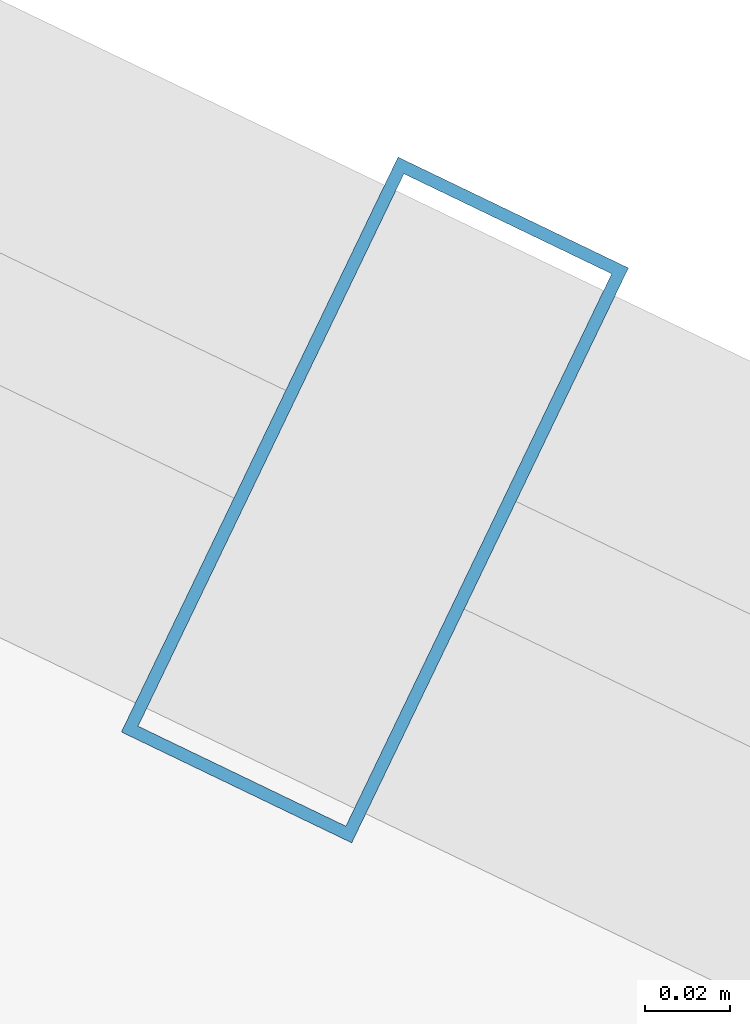
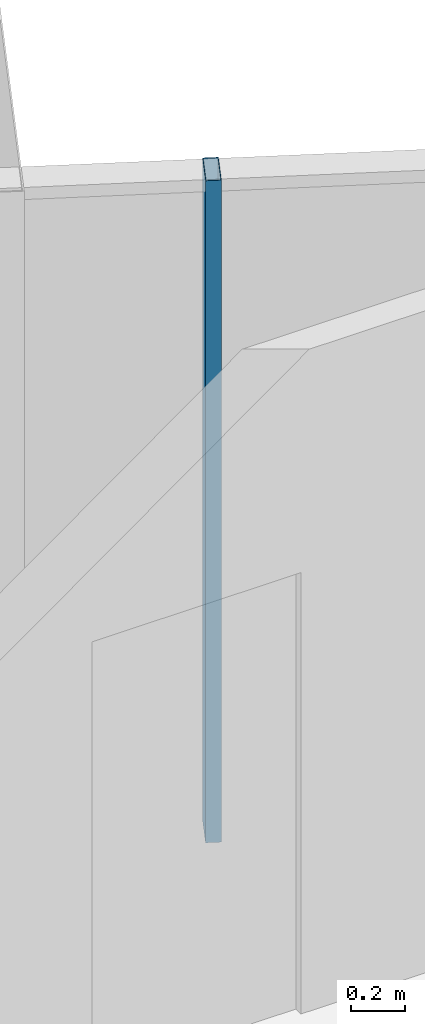
# One storey, part 28 of 34: 1 member, 1 element without a shape of its own.
"""IFC4 building model written with IfcOpenShell, lengths in metres."""

import ifcopenshell
import ifcopenshell.guid

model = None  # the IFC model being written
_history = None  # IfcOwnerHistory: only IFC2X3 demands one
_inside = {}  # id of a spatial element -> (the spatial element, [elements in it])
_under = {}  # id of a project, library or spatial element -> (it, [spatial elements below it])
_declared = {}  # id of a project -> (the project, [libraries it declares])
_typed = {}  # id of a type object -> (the type object, [elements of that type])
_made_of = {}  # id of a material, layer set ... -> (it, [elements and type objects made of it])


def new_model(schema):
    """Start an empty IFC model of exactly this schema.

    Asked for "IFC4X3", IfcOpenShell would pick the latest addendum, in which some entities
    have other attributes; the version numbers below select the first issue.
    IFC2X3 requires an IfcOwnerHistory on every rooted entity: one is made here for all.
    """
    global model, _history
    if schema == "IFC4X3":
        model = ifcopenshell.file(schema_version=(4, 3, 0, 0))
    else:
        model = ifcopenshell.file(schema=schema)
    _inside.clear()
    _under.clear()
    _declared.clear()
    _typed.clear()
    _made_of.clear()
    _history = None
    if model.schema == "IFC2X3":
        org = make("IfcOrganization", Name="unknown")
        user = make(
            "IfcPersonAndOrganization",
            ThePerson=make("IfcPerson", FamilyName="unknown"),
            TheOrganization=org,
        )
        app = make(
            "IfcApplication",
            ApplicationDeveloper=org,
            Version="unknown",
            ApplicationFullName="unknown",
            ApplicationIdentifier="unknown",
        )
        _history = make(
            "IfcOwnerHistory",
            OwningUser=user,
            OwningApplication=app,
            ChangeAction="ADDED",
            CreationDate=0,
        )
    return model


def make(cls, **values):
    """One entity of the class cls with the attributes given. An attribute that is None is left unset."""
    return model.create_entity(
        cls, **{name: value for name, value in values.items() if value is not None}
    )


def rooted(cls, **values):
    """An entity with a GlobalId (a new one), such as an element, a storey or a relation."""
    return make(cls, GlobalId=ifcopenshell.guid.new(), OwnerHistory=_history, **values)


def si_unit(unit_type, name, prefix=None):
    """IfcSIUnit, for example si_unit("LENGTHUNIT", "METRE", prefix="MILLI")."""
    return make("IfcSIUnit", UnitType=unit_type, Prefix=prefix, Name=name)


def assignment(units):
    """IfcUnitAssignment: the units of a project."""
    return None if units is None else make("IfcUnitAssignment", Units=units)


def point(xyz):
    """IfcCartesianPoint."""
    return None if xyz is None else make("IfcCartesianPoint", Coordinates=xyz)


def direction(xyz):
    """IfcDirection."""
    return None if xyz is None else make("IfcDirection", DirectionRatios=xyz)


def frame(location, z_axis=None, x_axis=None):
    """IfcAxis2Placement3D, a coordinate frame: its origin and axes. An axis left out is left unset."""
    return make(
        "IfcAxis2Placement3D",
        Location=point(location),
        Axis=direction(z_axis),
        RefDirection=direction(x_axis),
    )


def frame_2d(location, x_axis=None):
    """IfcAxis2Placement2D, a coordinate frame in the plane: its origin and x axis."""
    return make(
        "IfcAxis2Placement2D", Location=point(location), RefDirection=direction(x_axis)
    )


def origin():
    """The frame at (0, 0, 0) with its axes left unset."""
    return frame((0.0, 0.0, 0.0))


def origin_2d():
    """The frame at (0, 0) in the plane with its x axis left unset."""
    return frame_2d((0.0, 0.0))


def place(relative_to, where):
    """IfcLocalPlacement: puts the frame where relative to a parent placement (None: the world)."""
    return make(
        "IfcLocalPlacement", PlacementRelTo=relative_to, RelativePlacement=where
    )


def context(
    kind, dimensions, precision=None, world=None, true_north=None, identifier=None
):
    """IfcGeometricRepresentationContext, for example the 3D "Model" context."""
    return make(
        "IfcGeometricRepresentationContext",
        ContextIdentifier=identifier,
        ContextType=kind,
        CoordinateSpaceDimension=dimensions,
        Precision=precision,
        WorldCoordinateSystem=world,
        TrueNorth=true_north,
    )


def subcontext(parent, identifier, kind, view, scale=None):
    """IfcGeometricRepresentationSubContext, for example "Body" below "Model"."""
    return make(
        "IfcGeometricRepresentationSubContext",
        ContextIdentifier=identifier,
        ContextType=kind,
        ParentContext=parent,
        TargetScale=scale,
        TargetView=view,
    )


def project(units=None, contexts=None):
    """IfcProject with its units and contexts."""
    return rooted(
        "IfcProject",
        Name="project",
        RepresentationContexts=contexts,
        UnitsInContext=assignment(units),
    )


def spatial(cls, under=None, at=None, **own):
    """A site, building, storey or space (cls), placed at a placement, below another one or the project."""
    s = rooted(cls, ObjectPlacement=at, **own)
    if under is not None:
        _under.setdefault(under.id(), (under, []))[1].append(s)
    return s


def profile(cls, at=None, kind="AREA", **sizes):
    """A parametric profile (cls). Its sizes go by their IFC names, for example OverallWidth=200.0."""
    return make(cls, ProfileType=kind, Position=at, **sizes)


def hollow_rectangle(**sizes):
    """IfcRectangleHollowProfileDef."""
    return profile("IfcRectangleHollowProfileDef", **sizes)


def extrude(swept, where, along, depth):
    """IfcExtrudedAreaSolid: the profile swept, set in the frame where, extruded along a direction by depth."""
    return make(
        "IfcExtrudedAreaSolid",
        SweptArea=swept,
        Position=where,
        ExtrudedDirection=direction(along),
        Depth=depth,
    )


def shape(context_of_items, identifier, shape_type, items):
    """IfcShapeRepresentation: the items that make up one representation, for example the "Body"."""
    return make(
        "IfcShapeRepresentation",
        ContextOfItems=context_of_items,
        RepresentationIdentifier=identifier,
        RepresentationType=shape_type,
        Items=items,
    )


def source(mapping_origin, context_of_items, identifier, shape_type, items):
    """IfcRepresentationMap: a shape defined once, which mapped items show again and again."""
    return make(
        "IfcRepresentationMap",
        MappingOrigin=mapping_origin,
        MappedRepresentation=shape(context_of_items, identifier, shape_type, items),
    )


def transform(
    local_origin,
    x_axis=None,
    y_axis=None,
    z_axis=None,
    scale=None,
    scale2=None,
    scale3=None,
    uniform=True,
):
    """IfcCartesianTransformationOperator3D, or its non-uniform kind. x_axis, y_axis, z_axis: its Axis1, 2, 3."""
    if uniform:
        return make(
            "IfcCartesianTransformationOperator3D",
            Axis1=direction(x_axis),
            Axis2=direction(y_axis),
            LocalOrigin=point(local_origin),
            Scale=scale,
            Axis3=direction(z_axis),
        )
    return make(
        "IfcCartesianTransformationOperator3DnonUniform",
        Axis1=direction(x_axis),
        Axis2=direction(y_axis),
        LocalOrigin=point(local_origin),
        Scale=scale,
        Axis3=direction(z_axis),
        Scale2=scale2,
        Scale3=scale3,
    )


def mapped(mapping_source, mapping_target):
    """IfcMappedItem: shows the shape of a source again, moved by a transform."""
    return make(
        "IfcMappedItem", MappingSource=mapping_source, MappingTarget=mapping_target
    )


def material(Name=None, Category=None):
    """IfcMaterial."""
    return make("IfcMaterial", Name=Name, Category=Category)


def layer(
    of_material, thickness, ventilated=None, Name=None, Category=None, Priority=None
):
    """IfcMaterialLayer: one layer of a wall or slab, of a material (None: an air gap)."""
    return make(
        "IfcMaterialLayer",
        Material=of_material,
        LayerThickness=thickness,
        IsVentilated=ventilated,
        Name=Name,
        Category=Category,
        Priority=Priority,
    )


def layer_set(layers, Name=None):
    """IfcMaterialLayerSet."""
    return make("IfcMaterialLayerSet", MaterialLayers=layers, LayerSetName=Name)


def material_profile(
    of_material, cross_section, Name=None, Category=None, Priority=None
):
    """IfcMaterialProfile: a cross section and its material."""
    return make(
        "IfcMaterialProfile",
        Name=Name,
        Material=of_material,
        Profile=cross_section,
        Priority=Priority,
        Category=Category,
    )


def profile_set(profiles, Name=None, composite=None):
    """IfcMaterialProfileSet."""
    return make(
        "IfcMaterialProfileSet",
        Name=Name,
        MaterialProfiles=profiles,
        CompositeProfile=composite,
    )


def made_of(thing, what):
    """Note that an element or type object is made of a material, layer set ...; save() writes the relation."""
    if what is not None:
        _made_of.setdefault(what.id(), (what, []))[1].append(thing)
    return thing


def type_object(cls, material=None, **own):
    """A type object (cls), such as IfcWallType, which elements share."""
    return made_of(rooted(cls, **own), material)


def element(
    cls,
    number,
    at=None,
    inside=None,
    cuts=None,
    type_object=None,
    material=None,
    context=None,
    identifier="Body",
    shape_type=None,
    held_by="IfcProductDefinitionShape",
    body=None,
    shapes=None,
    **own,
):
    """One element of the class cls, such as IfcWall. Its Tag is "e" and its number.

    at: its placement. inside: the storey or other place that contains it. cuts: it is an
    opening in that element (IfcRelVoidsElement). A single representation is given by context,
    identifier, shape_type and body (its items); several are given by shapes. held_by: the class
    of the entity that holds the representations. save() writes the other relations.
    """
    e = rooted(cls, Tag="e%d" % number, ObjectPlacement=at, **own)
    if body is not None:
        shapes = [shape(context, identifier, shape_type, body)]
    if shapes is not None:
        e.Representation = make(held_by, Representations=shapes)
    if inside is not None:
        _inside.setdefault(inside.id(), (inside, []))[1].append(e)
    if cuts is not None:
        rooted(
            "IfcRelVoidsElement", RelatingBuildingElement=cuts, RelatedOpeningElement=e
        )
    if type_object is not None:
        _typed.setdefault(type_object.id(), (type_object, []))[1].append(e)
    return made_of(e, material)


def aggregate(whole, parts):
    """IfcRelAggregates: a whole, such as a stair, and the parts it consists of."""
    return rooted("IfcRelAggregates", RelatingObject=whole, RelatedObjects=parts)


def save(model, path):
    """Write the relations noted so far, then the file.

    IfcRelAggregates (storeys below a building ...), IfcRelContainedInSpatialStructure (elements
    in a storey), IfcRelDefinesByType, IfcRelAssociatesMaterial and IfcRelDeclares: one each for
    every whole, place, type object, material and project.
    """
    for whole, parts in _under.values():
        aggregate(whole, parts)
    for where, things in _inside.values():
        rooted(
            "IfcRelContainedInSpatialStructure",
            RelatedElements=things,
            RelatingStructure=where,
        )
    for kind, things in _typed.values():
        rooted("IfcRelDefinesByType", RelatedObjects=things, RelatingType=kind)
    for what, things in _made_of.values():
        rooted("IfcRelAssociatesMaterial", RelatedObjects=things, RelatingMaterial=what)
    for by, libraries in _declared.values():
        rooted("IfcRelDeclares", RelatingContext=by, RelatedDefinitions=libraries)
    model.write(path)


model = new_model("IFC4")

# Units and contexts
model_context = context("Model", 3, precision=1e-05, world=origin(), true_north=direction((0.0, 1.0)))
body_context = subcontext(model_context, "Body", "Model", "MODEL_VIEW")
ifc_project = project(units=[si_unit("LENGTHUNIT", "METRE"), si_unit("AREAUNIT", "SQUARE_METRE"), si_unit("VOLUMEUNIT", "CUBIC_METRE"), si_unit("PLANEANGLEUNIT", "RADIAN"), si_unit("MASSUNIT", "GRAM", prefix="KILO")], contexts=[model_context])

# Site, building, storey
site_placement = place(None, origin())
site = spatial("IfcSite", under=ifc_project, at=site_placement, CompositionType="ELEMENT")
building_placement = place(site_placement, origin())
building = spatial("IfcBuilding", under=site, at=building_placement, Name="Veraguas Prism Commons", CompositionType="ELEMENT")
storey_placement = place(building_placement, frame((0.0, 0.0, 191.85009765625)))
storey = spatial("IfcBuildingStorey", under=building, at=storey_placement, Name="L54", CompositionType="ELEMENT", Elevation=191.85009765625)

# Curtain wall, member
ifc_material = material(Name="Anodised aluminium EN AW-6063 T6", Category="aluminium")
ifc_layer = layer(ifc_material, 0.14990234375, Name="Unitised Flush Curtain Wall Zone 3", Category="aluminium")
ifc_layer_set = layer_set([ifc_layer], Name="Anodised aluminium EN AW-6063 T6")
curtain_wall_type = type_object("IfcCurtainWallType", Name="Unitised Flush Curtain Wall Zone 3", PredefinedType="NOTDEFINED", material=ifc_layer_set)
curtain_wall_placement = place(storey_placement, origin())
curtain_wall = element("IfcCurtainWall", 1, at=curtain_wall_placement, inside=storey, type_object=curtain_wall_type, Name="Tower Facade Curtain Wall L54-F1", PredefinedType="NOTDEFINED")
ifc_material_profile = material_profile(ifc_material, hollow_rectangle(XDim=0.06005859375, YDim=0.14990234375, WallThickness=0.0029296875, at=origin_2d()), Name="AL60X150X3")
ifc_profile_set = profile_set([ifc_material_profile], Name="Anodised aluminium EN AW-6063 T6")
member_type = type_object("IfcMemberType", Name="Curtain Wall Mullion Upper AL 60x150x3", PredefinedType="MULLION", material=ifc_profile_set)
shared_shape = source(origin(), body_context, "Body", "SweptSolid", [
    extrude(hollow_rectangle(XDim=0.06005859375, YDim=0.14990234375, WallThickness=0.0029296875, at=origin_2d()), origin(), (0.0, 0.0, 1.0), 3.014892578125),
])
member_placement = place(storey_placement, frame((35.262451171875, 38.234130859375, 0.0), z_axis=(0.0, 0.0, 1.0), x_axis=(-0.901073993789, 0.433665375281, 0.0)))
member = element("IfcMember", 2, at=member_placement, type_object=member_type, Name="CW-Z3 Mullion 2", PredefinedType="MULLION", context=body_context, shape_type="MappedRepresentation", body=[
    mapped(shared_shape, transform((0.0, 0.0, 0.0), scale=1.0)),
])
aggregate(curtain_wall, [member])

save(model, "model.ifc")
